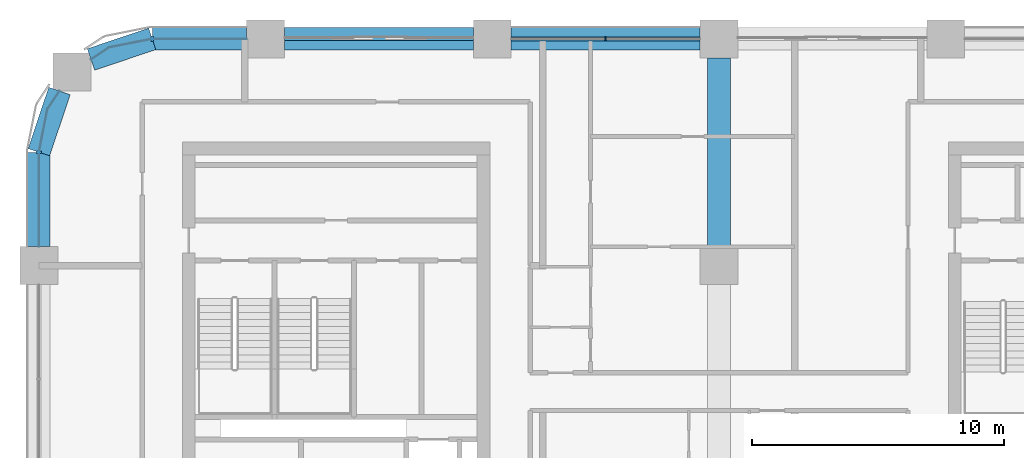
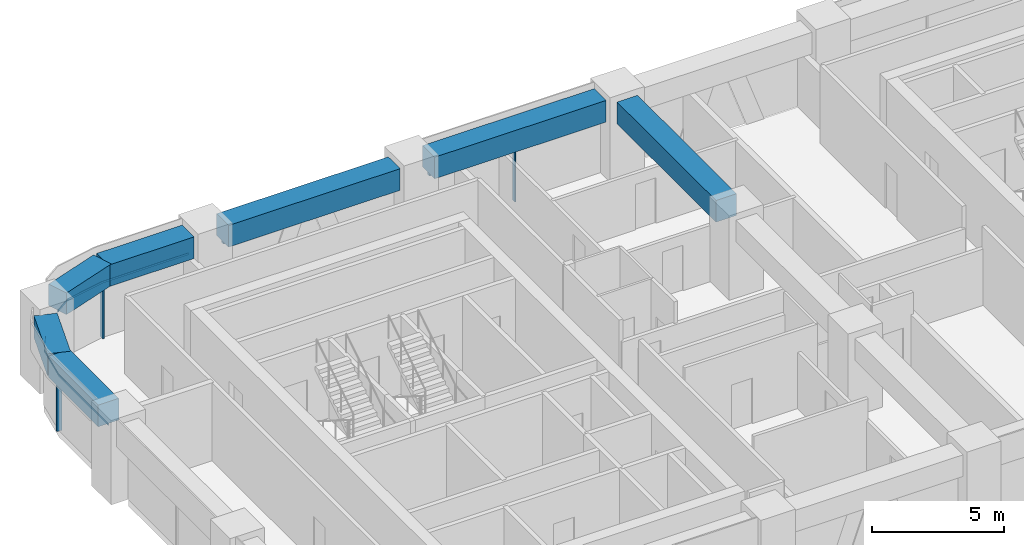
# One storey, part 4 of 14: 7 beams, 7 members, 4 elements without a shape of their own.
"""IFC4 building model written with IfcOpenShell, lengths in metres."""

from ifc_helpers import new_model, si_unit, direction, frame, origin, origin_2d, place, context, subcontext, project, spatial, polyline, rectangle, outline, extrude, material, material_profile, profile_set, type_object, element, aggregate, save


model = new_model("IFC4")

# Units and contexts
model_context = context("Model", 3, precision=1e-05, world=origin(), true_north=direction((0.0, 1.0)))
body_context = subcontext(model_context, "Body", "Model", "MODEL_VIEW")
ifc_project = project(units=[si_unit("LENGTHUNIT", "METRE"), si_unit("AREAUNIT", "SQUARE_METRE"), si_unit("VOLUMEUNIT", "CUBIC_METRE"), si_unit("PLANEANGLEUNIT", "RADIAN"), si_unit("MASSUNIT", "GRAM", prefix="KILO")], contexts=[model_context])

# Site, building, storey
site_placement = place(None, origin())
site = spatial("IfcSite", under=ifc_project, at=site_placement, CompositionType="ELEMENT")
building_placement = place(site_placement, origin())
building = spatial("IfcBuilding", under=site, at=building_placement, Name="Tessera Arch", CompositionType="ELEMENT")
storey_placement = place(building_placement, frame((0.0, 0.0, 134.89990234375)))
storey = spatial("IfcBuildingStorey", under=building, at=storey_placement, Name="L31", CompositionType="ELEMENT", Elevation=134.89990234375)

# Curtain wall, members
ifc_material_1 = material(Name="CW1 curtain wall")
curtain_wall_type_1 = type_object("IfcCurtainWallType", Name="CW1 curtain wall", PredefinedType="NOTDEFINED", material=ifc_material_1)
curtain_wall_1_placement = place(storey_placement, origin())
curtain_wall_1 = element("IfcCurtainWall", 1, at=curtain_wall_1_placement, inside=storey, type_object=curtain_wall_type_1, Name="CW1 curtain wall N54.0/3 L31", PredefinedType="NOTDEFINED")
ifc_material_2 = material(Name="Anodised aluminium pale metal", Category="aluminium")
ifc_material_profile_1 = material_profile(ifc_material_2, rectangle(XDim=0.159912109375, YDim=0.06005859375, at=origin_2d()), Name="AL 60x160")
ifc_profile_set_1 = profile_set([ifc_material_profile_1], Name="Anodised aluminium pale metal")
member_type_1 = type_object("IfcMemberType", Name="CW1 mullion", PredefinedType="MULLION", material=ifc_profile_set_1)
member_1_placement = place(storey_placement, frame((22.5, 54.0, 0.0), z_axis=(0.0, 0.0, 1.0), x_axis=(0.0, -1.0, 0.0)))
member_1 = element("IfcMember", 2, at=member_1_placement, type_object=member_type_1, Name="CW1 mullion N54.0/3 1", PredefinedType="MULLION", context=body_context, shape_type="SweptSolid", body=[
    extrude(rectangle(XDim=0.159912109375, YDim=0.06005859375, at=origin_2d()), origin(), (0.0, 0.0, 1.0), 2.5),
])
ifc_material_3 = material(Name="Anodised aluminium pale metal", Category="aluminium")
ifc_material_profile_2 = material_profile(ifc_material_3, rectangle(XDim=0.159912109375, YDim=0.10009765625, at=origin_2d()), Name="AL 160x100")
ifc_profile_set_2 = profile_set([ifc_material_profile_2], Name="Anodised aluminium pale metal")
member_type_2 = type_object("IfcMemberType", Name="CW1 transom", PredefinedType="USERDEFINED", material=ifc_profile_set_2)
member_2_placement = place(storey_placement, frame((26.25, 54.0, 2.550048828125), z_axis=(-1.0, 0.0, 0.0), x_axis=(0.0, -1.0, 0.0)))
member_2 = element("IfcMember", 3, at=member_2_placement, type_object=member_type_2, Name="CW1 transom N54.0/3 1.1", ObjectType="TRANSOM", PredefinedType="USERDEFINED", context=body_context, shape_type="SweptSolid", body=[
    extrude(rectangle(XDim=0.159912109375, YDim=0.10009765625, at=origin_2d()), origin(), (0.0, 0.0, 1.0), 7.5),
])
aggregate(curtain_wall_1, [member_1, member_2])

# Curtain wall, member
ifc_material_4 = material(Name="CW2 curtain wall")
curtain_wall_type_2 = type_object("IfcCurtainWallType", Name="CW2 curtain wall", PredefinedType="NOTDEFINED", material=ifc_material_4)
curtain_wall_2_placement = place(storey_placement, origin())
curtain_wall_2 = element("IfcCurtainWall", 4, at=curtain_wall_2_placement, inside=storey, type_object=curtain_wall_type_2, Name="CW2 curtain wall N54.0/5 L31", PredefinedType="NOTDEFINED")
ifc_material_5 = material(Name="Anodised aluminium pale metal", Category="aluminium")
ifc_material_profile_3 = material_profile(ifc_material_5, rectangle(XDim=0.199951171875, YDim=0.080078125, at=origin_2d()), Name="AL 80x200")
ifc_profile_set_3 = profile_set([ifc_material_profile_3], Name="Anodised aluminium pale metal")
member_type_3 = type_object("IfcMemberType", Name="CW2 mullion", PredefinedType="MULLION", material=ifc_profile_set_3)
member_3_placement = place(storey_placement, frame((4.5, 54.0, 0.0), z_axis=(0.0, 0.0, 1.0), x_axis=(0.0, -1.0, 0.0)))
member_3 = element("IfcMember", 5, at=member_3_placement, type_object=member_type_3, Name="CW2 mullion N54.0/5 1", PredefinedType="MULLION", context=body_context, shape_type="SweptSolid", body=[
    extrude(rectangle(XDim=0.199951171875, YDim=0.080078125, at=origin_2d()), origin(), (0.0, 0.0, 1.0), 2.5),
])

curtain_wall_3_placement = place(storey_placement, origin())
curtain_wall_3 = element("IfcCurtainWall", 6, at=curtain_wall_3_placement, inside=storey, type_object=curtain_wall_type_2, Name="CW2 curtain wall W0.27/0 L31", PredefinedType="NOTDEFINED")
member_4_placement = place(storey_placement, frame((0.0, 49.5, 0.0), z_axis=(0.0, 0.0, 1.0), x_axis=(1.0, 0.0, 0.0)))
member_4 = element("IfcMember", 7, at=member_4_placement, type_object=member_type_3, Name="CW2 mullion W0.27/0 1", PredefinedType="MULLION", context=body_context, shape_type="SweptSolid", body=[
    extrude(rectangle(XDim=0.199951171875, YDim=0.080078125, at=origin_2d()), origin(), (0.0, 0.0, 1.0), 2.5),
])

# Member
ifc_material_6 = material(Name="Anodised aluminium pale metal", Category="aluminium")
ifc_material_profile_4 = material_profile(ifc_material_6, rectangle(XDim=0.199951171875, YDim=0.10009765625, at=origin_2d()), Name="AL 200x100")
ifc_profile_set_4 = profile_set([ifc_material_profile_4], Name="Anodised aluminium pale metal")
member_type_4 = type_object("IfcMemberType", Name="CW2 transom", PredefinedType="USERDEFINED", material=ifc_profile_set_4)
member_5_placement = place(storey_placement, frame((0.0, 0.0, 2.5)))
member_5 = element("IfcMember", 8, at=member_5_placement, type_object=member_type_4, Name="CW2 transom N54.0/5 1", ObjectType="TRANSOM", PredefinedType="USERDEFINED", context=body_context, shape_type="SweptSolid", body=[
    extrude(outline(polyline([(4.5009765625, 53.989990234375), (8.25, 53.989990234375), (8.25, 54.010009765625), (4.4990234375, 54.010009765625), (2.77392578125, 53.6669921875), (2.0625, 53.19140625), (2.073486328125, 53.1748046875), (2.78173828125, 53.648193359375), (4.5009765625, 53.989990234375)])), origin(), (0.0, 0.0, 1.0), 0.10009765625),
])

aggregate(curtain_wall_2, [member_3, member_5])

member_6_placement = place(storey_placement, frame((0.0, 0.0, 2.5)))
member_6 = element("IfcMember", 9, at=member_6_placement, type_object=member_type_4, Name="CW2 transom W0.27/0 1", ObjectType="TRANSOM", PredefinedType="USERDEFINED", context=body_context, shape_type="SweptSolid", body=[
    extrude(outline(polyline([(0.351806640625, 51.21826171875), (0.8251953125, 51.926513671875), (0.80859375, 51.9375), (0.3330078125, 51.22607421875), (-0.010009765625, 49.5009765625), (-0.010009765625, 45.75), (0.010009765625, 45.75), (0.010009765625, 49.4990234375), (0.351806640625, 51.21826171875)])), origin(), (0.0, 0.0, 1.0), 0.10009765625),
])

aggregate(curtain_wall_3, [member_4, member_6])

# Curtain wall, member
ifc_material_7 = material(Name="CW3 curtain wall")
curtain_wall_type_3 = type_object("IfcCurtainWallType", Name="CW3 curtain wall", PredefinedType="NOTDEFINED", material=ifc_material_7)
curtain_wall_4_placement = place(storey_placement, origin())
curtain_wall_4 = element("IfcCurtainWall", 10, at=curtain_wall_4_placement, inside=storey, type_object=curtain_wall_type_3, Name="CW3 curtain wall N54.0/4 L31", PredefinedType="NOTDEFINED")
ifc_material_8 = material(Name="Anodised aluminium pale metal", Category="aluminium")
ifc_material_profile_5 = material_profile(ifc_material_8, rectangle(XDim=0.139892578125, YDim=0.10009765625, at=origin_2d()), Name="AL 140x100")
ifc_profile_set_5 = profile_set([ifc_material_profile_5], Name="Anodised aluminium pale metal")
member_type_5 = type_object("IfcMemberType", Name="CW3 transom", PredefinedType="USERDEFINED", material=ifc_profile_set_5)
member_7_placement = place(storey_placement, frame((17.25, 54.0, 2.550048828125), z_axis=(-1.0, 0.0, 0.0), x_axis=(0.0, -1.0, 0.0)))
member_7 = element("IfcMember", 11, at=member_7_placement, type_object=member_type_5, Name="CW3 transom N54.0/4 1.1", ObjectType="TRANSOM", PredefinedType="USERDEFINED", context=body_context, shape_type="SweptSolid", body=[
    extrude(rectangle(XDim=0.139892578125, YDim=0.10009765625, at=origin_2d()), origin(), (0.0, 0.0, 1.0), 7.5),
])
aggregate(curtain_wall_4, [member_7])

# Beams
ifc_material_9 = material(Name="Concrete C70/85", Category="concrete")
ifc_material_profile_6 = material_profile(ifc_material_9, rectangle(XDim=0.89990234375, YDim=1.0, at=origin_2d()), Name="RC spandrel beam 900 x 1000 Concrete C70/85")
ifc_profile_set_6 = profile_set([ifc_material_profile_6], Name="Concrete C70/85")
beam_type = type_object("IfcBeamType", Name="RC spandrel beam 900 x 1000 Concrete C70/85", PredefinedType="BEAM", material=ifc_profile_set_6)
for number, where, z_axis, x_axis, name in (
    (12, (26.25, 54.0, 3.10009765625), (-1.0, 0.0, 0.0), (0.0, -1.0, 0.0), "Spandrel beam L31 N54.0/3"),
    (13, (17.25, 54.0, 3.10009765625), (-1.0, 0.0, 0.0), (0.0, -1.0, 0.0), "Spandrel beam L31 N54.0/4"),
):
    element("IfcBeam", number, at=place(storey_placement, frame(where, z_axis=z_axis, x_axis=x_axis)), inside=storey, type_object=beam_type, Name=name, PredefinedType="BEAM", context=body_context, shape_type="SweptSolid", body=[
        extrude(rectangle(XDim=0.89990234375, YDim=1.0, at=origin_2d()), origin(), (0.0, 0.0, 1.0), 7.5),
    ])
beam_1_placement = place(storey_placement, frame((8.25, 54.0, 3.10009765625), z_axis=(-1.0, 0.0, 0.0), x_axis=(0.0, -1.0, 0.0)))
element("IfcBeam", 14, at=beam_1_placement, inside=storey, type_object=beam_type, Name="Spandrel beam L31 N54.0/5.1", PredefinedType="BEAM", context=body_context, shape_type="SweptSolid", body=[
    extrude(rectangle(XDim=0.89990234375, YDim=1.0, at=origin_2d()), origin(), (0.0, 0.0, 1.0), 3.75),
])
for number, where, z_axis, x_axis, name in (
    (15, (4.5, 54.0, 3.10009765625), (-0.947947973234, -0.31842525032, 0.0), (0.31842525032, -0.947947973234, 0.0), "Spandrel beam L31 N54.0/5.2"),
    (16, (0.81689453125, 51.931884765625, 3.10009765625), (-0.31842525032, -0.947947973234, 0.0), (0.947947973234, -0.31842525032, 0.0), "Spandrel beam L31 W0.27/0.1"),
):
    element("IfcBeam", number, at=place(storey_placement, frame(where, z_axis=z_axis, x_axis=x_axis)), inside=storey, type_object=beam_type, Name=name, PredefinedType="BEAM", context=body_context, shape_type="SweptSolid", body=[
        extrude(rectangle(XDim=0.89990234375, YDim=1.0, at=origin_2d()), origin(), (0.0, 0.0, 1.0), 2.5654296875),
    ])
beam_2_placement = place(storey_placement, frame((0.0, 49.5, 3.10009765625), z_axis=(0.0, -1.0, 0.0), x_axis=(1.0, 0.0, 0.0)))
element("IfcBeam", 17, at=beam_2_placement, inside=storey, type_object=beam_type, Name="Spandrel beam L31 W0.27/0.2", PredefinedType="BEAM", context=body_context, shape_type="SweptSolid", body=[
    extrude(rectangle(XDim=0.89990234375, YDim=1.0, at=origin_2d()), origin(), (0.0, 0.0, 1.0), 3.75),
])
beam_3_placement = place(storey_placement, frame((27.0, 45.75, 3.10009765625), z_axis=(0.0, 1.0, 0.0), x_axis=(-1.0, 0.0, 0.0)))
element("IfcBeam", 18, at=beam_3_placement, inside=storey, type_object=beam_type, Name="Interface beam L31 I0C4F-C4G", PredefinedType="BEAM", context=body_context, shape_type="SweptSolid", body=[
    extrude(rectangle(XDim=0.89990234375, YDim=1.0, at=origin_2d()), origin(), (0.0, 0.0, 1.0), 7.5),
])

save(model, "model.ifc")
